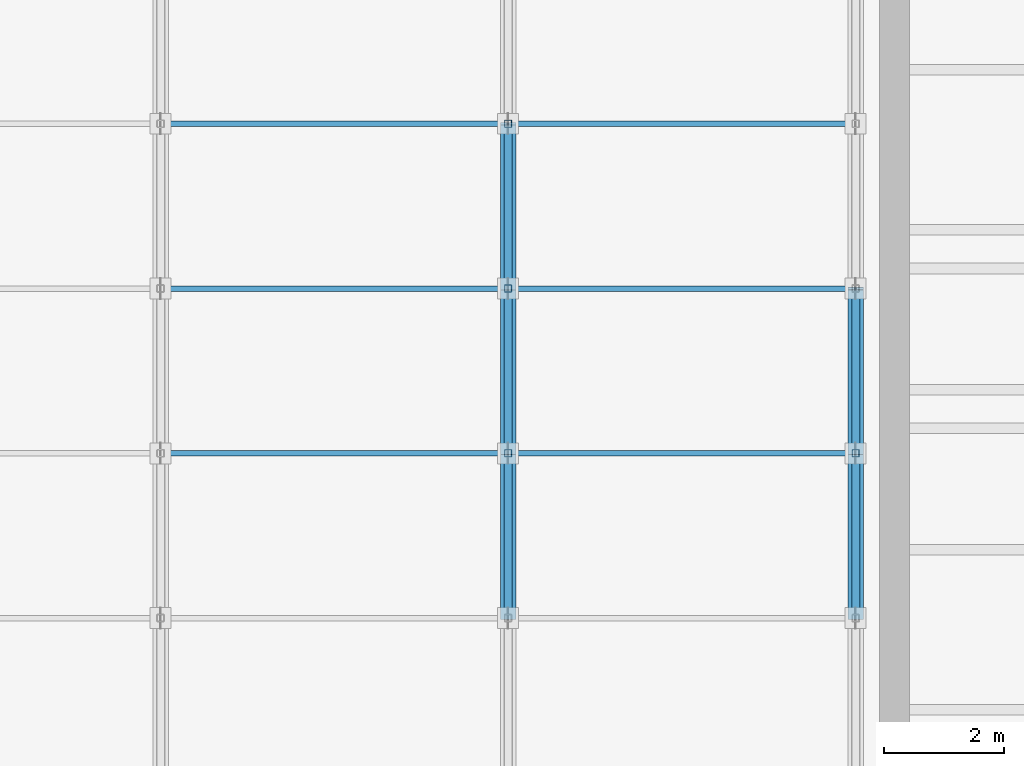
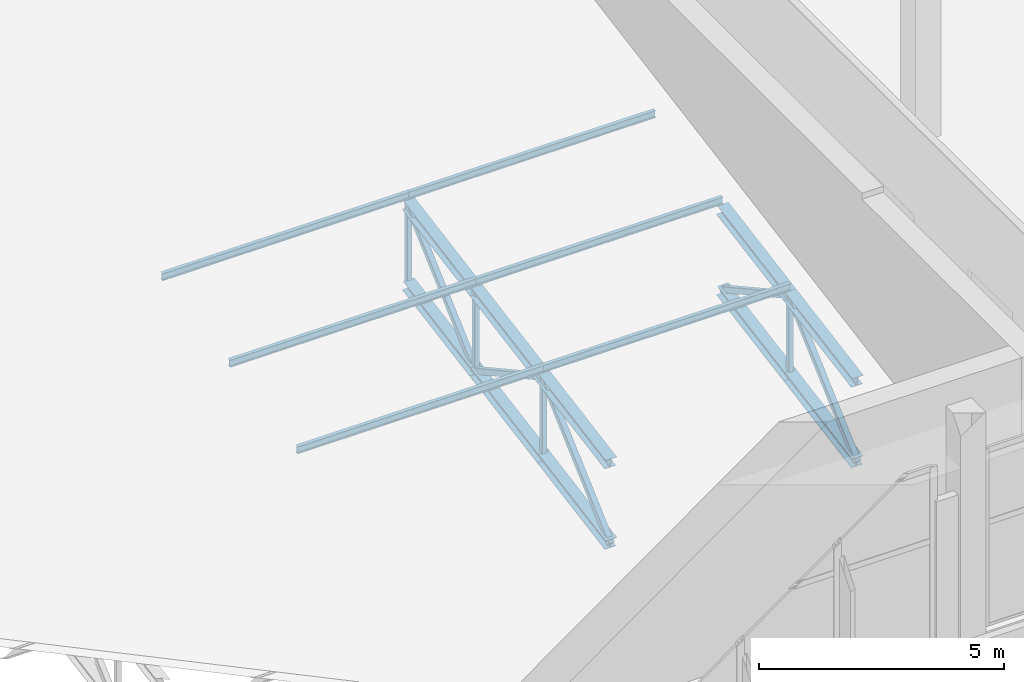
# One storey, part 19 of 132: 25 members.
"""IFC4 building model written with IfcOpenShell, lengths in metres."""

from ifc_helpers import new_model, si_unit, direction, frame, origin, origin_2d, place, context, subcontext, project, spatial, hollow_rectangle, i_section, extrude, material, material_profile, profile_set, type_object, element, save


model = new_model("IFC4")

# Units and contexts
model_context = context("Model", 3, precision=1e-05, world=origin(), true_north=direction((0.0, 1.0)))
body_context = subcontext(model_context, "Body", "Model", "MODEL_VIEW")
ifc_project = project(units=[si_unit("LENGTHUNIT", "METRE"), si_unit("AREAUNIT", "SQUARE_METRE"), si_unit("VOLUMEUNIT", "CUBIC_METRE"), si_unit("PLANEANGLEUNIT", "RADIAN"), si_unit("MASSUNIT", "GRAM", prefix="KILO")], contexts=[model_context])

# Site, building, storey
site_placement = place(None, origin())
site = spatial("IfcSite", under=ifc_project, at=site_placement, CompositionType="ELEMENT")
building_placement = place(site_placement, origin())
building = spatial("IfcBuilding", under=site, at=building_placement, Name="Lunette Opera House", CompositionType="ELEMENT")
storey_placement = place(building_placement, frame((0.0, 0.0, 17.0)))
storey = spatial("IfcBuildingStorey", under=building, at=storey_placement, Name="L03", CompositionType="ELEMENT", Elevation=17.0)

# Members
ifc_material_1 = material(Name="Steel S355", Category="steel")
ifc_material_profile_1 = material_profile(ifc_material_1, i_section(OverallWidth=0.260009765625, OverallDepth=0.25, WebThickness=0.007568359375, FlangeThickness=0.012451171875, FilletRadius=0.02392578125, at=origin_2d()), Name="HEA 260")
ifc_profile_set_1 = profile_set([ifc_material_profile_1], Name="Steel S355")
member_type_1 = type_object("IfcMemberType", Name="CHORD HEA 260", PredefinedType="CHORD", material=ifc_profile_set_1)
for number, where, z_axis, x_axis, name in (
    (1, (27.800048828125, 71.5, 1.264892578125), (0.0, 0.984794998673, 0.173720495593), (-1.0, 0.0, 0.0), "mem-RW-L03-RW-TR04-TC3"),
    (2, (27.800048828125, 71.5, -0.735107421875), (0.0, 0.984794998673, 0.173720495593), (-1.0, 0.0, 0.0), "mem-RW-L03-RW-TR04-BC3"),
    (3, (27.800048828125, 74.25, 1.75), (0.0, 0.984794998673, 0.173720495593), (-1.0, 0.0, 0.0), "mem-RW-L03-RW-TR04-TC4"),
    (4, (27.800048828125, 74.25, -0.25), (0.0, 0.984794998673, 0.173720495593), (-1.0, 0.0, 0.0), "mem-RW-L03-RW-TR04-BC4"),
):
    element("IfcMember", number, at=place(storey_placement, frame(where, z_axis=z_axis, x_axis=x_axis)), inside=storey, type_object=member_type_1, Name=name, PredefinedType="CHORD", context=body_context, shape_type="SweptSolid", body=[
        extrude(i_section(OverallWidth=0.260009765625, OverallDepth=0.25, WebThickness=0.007568359375, FlangeThickness=0.012451171875, FilletRadius=0.02392578125, at=origin_2d()), origin(), (0.0, 0.0, 1.0), 2.79248046875),
    ])
for number, where, z_axis, x_axis, name in (
    (5, (27.800048828125, 77.0, 2.235107421875), (0.0, 0.98486969904, 0.173296497115), (-1.0, 0.0, 0.0), "mem-RW-L03-RW-TR04-TC5"),
    (6, (27.800048828125, 77.0, 0.235107421875), (0.0, 0.98486969904, 0.173296497115), (-1.0, 0.0, 0.0), "mem-RW-L03-RW-TR04-BC5"),
):
    element("IfcMember", number, at=place(storey_placement, frame(where, z_axis=z_axis, x_axis=x_axis)), inside=storey, type_object=member_type_1, Name=name, PredefinedType="CHORD", context=body_context, shape_type="SweptSolid", body=[
        extrude(i_section(OverallWidth=0.260009765625, OverallDepth=0.25, WebThickness=0.007568359375, FlangeThickness=0.012451171875, FilletRadius=0.02392578125, at=origin_2d()), origin(), (0.0, 0.0, 1.0), 2.792236328125),
    ])
for number, where, z_axis, x_axis, name in (
    (7, (33.60009765625, 71.5, 1.264892578125), (0.0, 0.984794998673, 0.173720495593), (-1.0, 0.0, 0.0), "mem-RW-L03-RW-TR05-TC3"),
    (8, (33.60009765625, 71.5, -0.735107421875), (0.0, 0.984794998673, 0.173720495593), (-1.0, 0.0, 0.0), "mem-RW-L03-RW-TR05-BC3"),
    (9, (33.60009765625, 74.25, 1.75), (0.0, 0.984794998673, 0.173720495593), (-1.0, 0.0, 0.0), "mem-RW-L03-RW-TR05-TC4"),
    (10, (33.60009765625, 74.25, -0.25), (0.0, 0.984794998673, 0.173720495593), (-1.0, 0.0, 0.0), "mem-RW-L03-RW-TR05-BC4"),
):
    element("IfcMember", number, at=place(storey_placement, frame(where, z_axis=z_axis, x_axis=x_axis)), inside=storey, type_object=member_type_1, Name=name, PredefinedType="CHORD", context=body_context, shape_type="SweptSolid", body=[
        extrude(i_section(OverallWidth=0.260009765625, OverallDepth=0.25, WebThickness=0.007568359375, FlangeThickness=0.012451171875, FilletRadius=0.02392578125, at=origin_2d()), origin(), (0.0, 0.0, 1.0), 2.79248046875),
    ])
ifc_material_2 = material(Name="Steel S355", Category="steel")
ifc_material_profile_2 = material_profile(ifc_material_2, hollow_rectangle(XDim=0.139892578125, YDim=0.139892578125, WallThickness=0.006103515625, InnerFilletRadius=0.006103515625, OuterFilletRadius=0.011962890625, at=origin_2d()), Name="RHS 140X140X6")
ifc_profile_set_2 = profile_set([ifc_material_profile_2], Name="Steel S355")
member_type_2 = type_object("IfcMemberType", Name="DIAGONAL RHS 140X140X6", PredefinedType="BRACE", material=ifc_profile_set_2)
member_1_placement = place(storey_placement, frame((27.800048828125, 71.5, -0.735107421875), z_axis=(0.0, 0.741936685601, 0.670469950527), x_axis=(-1.0, 0.0, 0.0)))
element("IfcMember", 11, at=member_1_placement, inside=storey, type_object=member_type_2, Name="mem-RW-L03-RW-TR04-TD3", PredefinedType="BRACE", context=body_context, shape_type="SweptSolid", body=[
    extrude(hollow_rectangle(XDim=0.139892578125, YDim=0.139892578125, WallThickness=0.006103515625, InnerFilletRadius=0.006103515625, OuterFilletRadius=0.011962890625, at=origin_2d()), origin(), (0.0, 0.0, 1.0), 3.70654296875),
])
member_2_placement = place(storey_placement, frame((27.800048828125, 74.25, 1.75), z_axis=(0.0, 0.875893925299, -0.482503711513), x_axis=(-1.0, 0.0, 0.0)))
element("IfcMember", 12, at=member_2_placement, inside=storey, type_object=member_type_2, Name="mem-RW-L03-RW-TR04-TD4", PredefinedType="BRACE", context=body_context, shape_type="SweptSolid", body=[
    extrude(hollow_rectangle(XDim=0.139892578125, YDim=0.139892578125, WallThickness=0.006103515625, InnerFilletRadius=0.006103515625, OuterFilletRadius=0.011962890625, at=origin_2d()), origin(), (0.0, 0.0, 1.0), 3.1396484375),
])
member_3_placement = place(storey_placement, frame((27.800048828125, 77.0, 0.235107421875), z_axis=(0.0, 0.742100528467, 0.670288598776), x_axis=(-1.0, 0.0, 0.0)))
element("IfcMember", 13, at=member_3_placement, inside=storey, type_object=member_type_2, Name="mem-RW-L03-RW-TR04-TD5", PredefinedType="BRACE", context=body_context, shape_type="SweptSolid", body=[
    extrude(hollow_rectangle(XDim=0.139892578125, YDim=0.139892578125, WallThickness=0.006103515625, InnerFilletRadius=0.006103515625, OuterFilletRadius=0.011962890625, at=origin_2d()), origin(), (0.0, 0.0, 1.0), 3.705810546875),
])
member_4_placement = place(storey_placement, frame((33.60009765625, 71.5, -0.735107421875), z_axis=(0.0, 0.741936685601, 0.670469950527), x_axis=(-1.0, 0.0, 0.0)))
element("IfcMember", 14, at=member_4_placement, inside=storey, type_object=member_type_2, Name="mem-RW-L03-RW-TR05-TD3", PredefinedType="BRACE", context=body_context, shape_type="SweptSolid", body=[
    extrude(hollow_rectangle(XDim=0.139892578125, YDim=0.139892578125, WallThickness=0.006103515625, InnerFilletRadius=0.006103515625, OuterFilletRadius=0.011962890625, at=origin_2d()), origin(), (0.0, 0.0, 1.0), 3.70654296875),
])
member_5_placement = place(storey_placement, frame((33.60009765625, 74.25, 1.75), z_axis=(0.0, 0.875893925299, -0.482503711513), x_axis=(-1.0, 0.0, 0.0)))
element("IfcMember", 15, at=member_5_placement, inside=storey, type_object=member_type_2, Name="mem-RW-L03-RW-TR05-TD4", PredefinedType="BRACE", context=body_context, shape_type="SweptSolid", body=[
    extrude(hollow_rectangle(XDim=0.139892578125, YDim=0.139892578125, WallThickness=0.006103515625, InnerFilletRadius=0.006103515625, OuterFilletRadius=0.011962890625, at=origin_2d()), origin(), (0.0, 0.0, 1.0), 3.1396484375),
])
ifc_material_3 = material(Name="Steel S355", Category="steel")
ifc_material_profile_3 = material_profile(ifc_material_3, i_section(OverallWidth=0.091064453125, OverallDepth=0.179931640625, WebThickness=0.00537109375, FlangeThickness=0.008056640625, FilletRadius=0.009033203125, at=origin_2d()), Name="IPE 180")
ifc_profile_set_3 = profile_set([ifc_material_profile_3], Name="Steel S355")
member_type_3 = type_object("IfcMemberType", Name="PURLIN IPE 180", PredefinedType="PURLIN", material=ifc_profile_set_3)
for number, where, z_axis, x_axis, name in (
    (16, (22.0, 74.25, 1.965087890625), (1.0, 0.0, 0.0), (0.0, 1.0, 0.0), "mem-RW-L03-RW-PU4-3"),
    (17, (27.800048828125, 74.25, 1.965087890625), (1.0, 0.0, 0.0), (0.0, 1.0, 0.0), "mem-RW-L03-RW-PU4-4"),
    (18, (22.0, 77.0, 2.449951171875), (1.0, 0.0, 0.0), (0.0, 1.0, 0.0), "mem-RW-L03-RW-PU5-3"),
    (19, (27.800048828125, 77.0, 2.449951171875), (1.0, 0.0, 0.0), (0.0, 1.0, 0.0), "mem-RW-L03-RW-PU5-4"),
    (20, (22.0, 79.75, 2.93408203125), (1.0, 0.0, 0.0), (0.0, 1.0, 0.0), "mem-RW-L03-RW-PU6-3"),
    (21, (27.800048828125, 79.75, 2.93408203125), (1.0, 0.0, 0.0), (0.0, 1.0, 0.0), "mem-RW-L03-RW-PU6-4"),
):
    element("IfcMember", number, at=place(storey_placement, frame(where, z_axis=z_axis, x_axis=x_axis)), inside=storey, type_object=member_type_3, Name=name, PredefinedType="PURLIN", context=body_context, shape_type="SweptSolid", body=[
        extrude(i_section(OverallWidth=0.091064453125, OverallDepth=0.179931640625, WebThickness=0.00537109375, FlangeThickness=0.008056640625, FilletRadius=0.009033203125, at=origin_2d()), origin(), (0.0, 0.0, 1.0), 5.800048828125),
    ])
ifc_material_4 = material(Name="Steel S355", Category="steel")
ifc_material_profile_4 = material_profile(ifc_material_4, hollow_rectangle(XDim=0.1201171875, YDim=0.1201171875, WallThickness=0.0048828125, InnerFilletRadius=0.0048828125, OuterFilletRadius=0.010009765625, at=origin_2d()), Name="RHS 120X120X5")
ifc_profile_set_4 = profile_set([ifc_material_profile_4], Name="Steel S355")
member_type_4 = type_object("IfcMemberType", Name="VERTICAL RHS 120X120X5", PredefinedType="POST", material=ifc_profile_set_4)
for number, where, z_axis, x_axis, name in (
    (22, (27.800048828125, 74.25, -0.25), (0.0, 0.0, 1.0), (1.0, 0.0, 0.0), "mem-RW-L03-RW-TR04-TV4"),
    (23, (27.800048828125, 77.0, 0.235107421875), (0.0, 0.0, 1.0), (1.0, 0.0, 0.0), "mem-RW-L03-RW-TR04-TV5"),
    (24, (27.800048828125, 79.75, 0.718994140625), (0.0, 0.0, 1.0), (1.0, 0.0, 0.0), "mem-RW-L03-RW-TR04-TV6"),
    (25, (33.60009765625, 74.25, -0.25), (0.0, 0.0, 1.0), (1.0, 0.0, 0.0), "mem-RW-L03-RW-TR05-TV4"),
):
    element("IfcMember", number, at=place(storey_placement, frame(where, z_axis=z_axis, x_axis=x_axis)), inside=storey, type_object=member_type_4, Name=name, PredefinedType="POST", context=body_context, shape_type="SweptSolid", body=[
        extrude(hollow_rectangle(XDim=0.1201171875, YDim=0.1201171875, WallThickness=0.0048828125, InnerFilletRadius=0.0048828125, OuterFilletRadius=0.010009765625, at=origin_2d()), origin(), (0.0, 0.0, 1.0), 2.0),
    ])

save(model, "model.ifc")
